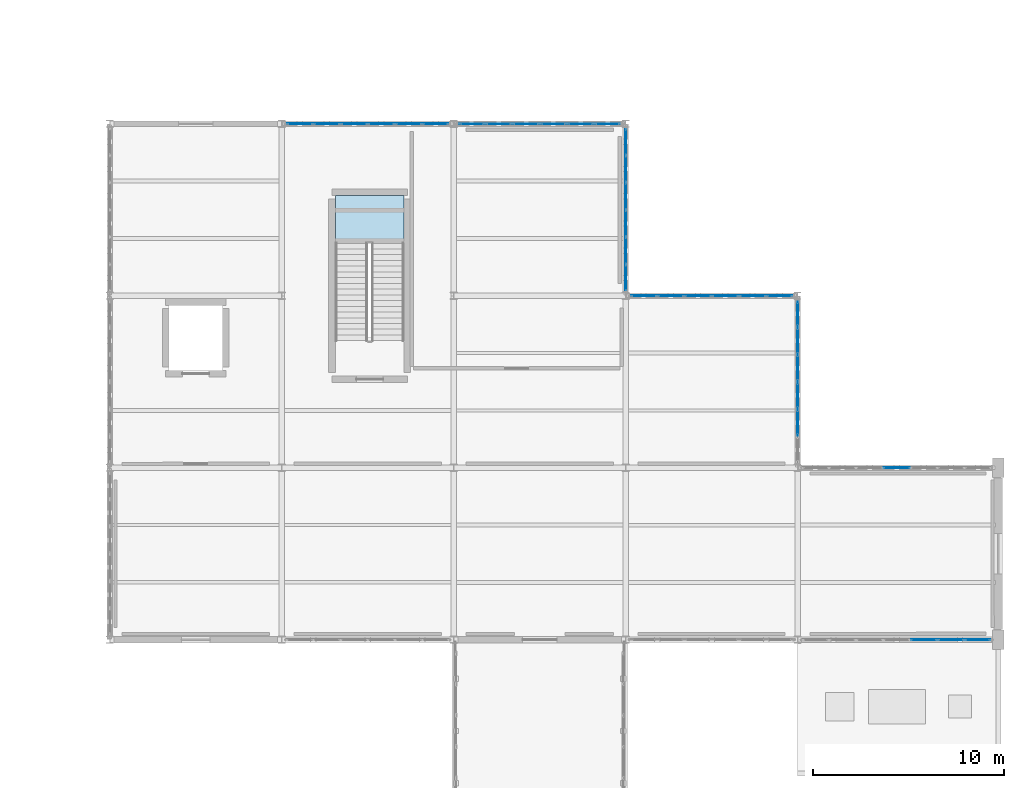
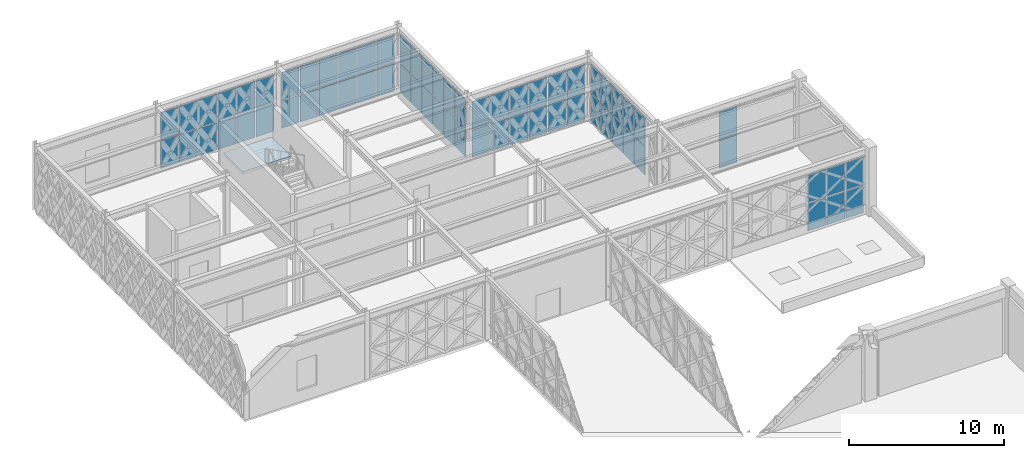
# One storey, part 137 of 166: 66 plates, 1 slab, 8 elements without a shape of their own.
"""IFC4 building model written with IfcOpenShell, lengths in metres."""

from ifc_helpers import new_model, si_unit, direction, frame, origin, origin_2d, place, context, subcontext, project, spatial, polyline, rectangle, outline, extrude, material, layer, layer_set, type_object, element, aggregate, save


model = new_model("IFC4")

# Units and contexts
model_context = context("Model", 3, precision=1e-05, world=origin(), true_north=direction((0.0, 1.0)))
body_context = subcontext(model_context, "Body", "Model", "MODEL_VIEW")
ifc_project = project(units=[si_unit("LENGTHUNIT", "METRE"), si_unit("AREAUNIT", "SQUARE_METRE"), si_unit("VOLUMEUNIT", "CUBIC_METRE"), si_unit("PLANEANGLEUNIT", "RADIAN"), si_unit("MASSUNIT", "GRAM", prefix="KILO")], contexts=[model_context])

# Site, building, storey
site_placement = place(None, origin())
site = spatial("IfcSite", under=ifc_project, at=site_placement, CompositionType="ELEMENT")
building_placement = place(site_placement, origin())
building = spatial("IfcBuilding", under=site, at=building_placement, Name="Haizhuo Lancet Aquarium", CompositionType="ELEMENT")
storey_placement = place(building_placement, frame((0.0, 0.0, 5.39990234375)))
storey = spatial("IfcBuildingStorey", under=building, at=storey_placement, Name="L01", CompositionType="ELEMENT", Elevation=5.39990234375)

# Curtain wall, plates
ifc_material_1 = material(Name="Aluminium 6063-T6", Category="aluminium")
curtain_wall_type_1 = type_object("IfcCurtainWallType", Name="CWD-8560x4550", PredefinedType="NOTDEFINED", material=ifc_material_1)
curtain_wall_1_placement = place(storey_placement, origin())
curtain_wall_1 = element("IfcCurtainWall", 1, at=curtain_wall_1_placement, inside=storey, type_object=curtain_wall_type_1, Name="L01 curtain wall CW-V7-L01-285", PredefinedType="NOTDEFINED")
ifc_material_2 = material(Name="Laminated Low-E Glass", Category="glass")
ifc_layer_1 = layer(ifc_material_2, 0.028076171875)
ifc_layer_set_1 = layer_set([ifc_layer_1], Name="Laminated Low-E Glass")
plate_type_1 = type_object("IfcPlateType", Name="CW-PNL-1", PredefinedType="CURTAIN_PANEL", material=ifc_layer_set_1)
plate_1_placement = place(storey_placement, frame((54.952880859375, 36.0, 0.080078125), z_axis=(0.0, 0.0, 1.0), x_axis=(1.0, 0.0, 0.0)))
plate_1 = element("IfcPlate", 2, at=plate_1_placement, type_object=plate_type_1, Name="CWD-85x45 panel 1.1", PredefinedType="CURTAIN_PANEL", context=body_context, shape_type="SweptSolid", body=[
    extrude(rectangle(XDim=1.306884765625, YDim=0.028076171875, at=origin_2d()), origin(), (0.0, 0.0, 1.0), 2.156005859375),
])
plate_2_placement = place(storey_placement, frame((54.952880859375, 36.0, 2.31591796875), z_axis=(0.0, 0.0, 1.0), x_axis=(1.0, 0.0, 0.0)))
plate_2 = element("IfcPlate", 3, at=plate_2_placement, type_object=plate_type_1, Name="CWD-85x45 panel 1.2", PredefinedType="CURTAIN_PANEL", context=body_context, shape_type="SweptSolid", body=[
    extrude(rectangle(XDim=1.306884765625, YDim=0.028076171875, at=origin_2d()), origin(), (0.0, 0.0, 1.0), 2.156005859375),
])
plate_3_placement = place(storey_placement, frame((56.360107421875, 36.0, 0.080078125), z_axis=(0.0, 0.0, 1.0), x_axis=(1.0, 0.0, 0.0)))
plate_3 = element("IfcPlate", 4, at=plate_3_placement, type_object=plate_type_1, Name="CWD-85x45 panel 2.1", PredefinedType="CURTAIN_PANEL", context=body_context, shape_type="SweptSolid", body=[
    extrude(rectangle(XDim=1.346923828125, YDim=0.028076171875, at=origin_2d()), origin(), (0.0, 0.0, 1.0), 2.156005859375),
])
plate_4_placement = place(storey_placement, frame((56.360107421875, 36.0, 2.31591796875), z_axis=(0.0, 0.0, 1.0), x_axis=(1.0, 0.0, 0.0)))
plate_4 = element("IfcPlate", 5, at=plate_4_placement, type_object=plate_type_1, Name="CWD-85x45 panel 2.2", PredefinedType="CURTAIN_PANEL", context=body_context, shape_type="SweptSolid", body=[
    extrude(rectangle(XDim=1.346923828125, YDim=0.028076171875, at=origin_2d()), origin(), (0.0, 0.0, 1.0), 2.156005859375),
])
plate_5_placement = place(storey_placement, frame((57.787109375, 36.0, 0.080078125), z_axis=(0.0, 0.0, 1.0), x_axis=(1.0, 0.0, 0.0)))
plate_5 = element("IfcPlate", 6, at=plate_5_placement, type_object=plate_type_1, Name="CWD-85x45 panel 3.1", PredefinedType="CURTAIN_PANEL", context=body_context, shape_type="SweptSolid", body=[
    extrude(rectangle(XDim=1.346923828125, YDim=0.028076171875, at=origin_2d()), origin(), (0.0, 0.0, 1.0), 2.156005859375),
])
plate_6_placement = place(storey_placement, frame((57.787109375, 36.0, 2.31591796875), z_axis=(0.0, 0.0, 1.0), x_axis=(1.0, 0.0, 0.0)))
plate_6 = element("IfcPlate", 7, at=plate_6_placement, type_object=plate_type_1, Name="CWD-85x45 panel 3.2", PredefinedType="CURTAIN_PANEL", context=body_context, shape_type="SweptSolid", body=[
    extrude(rectangle(XDim=1.346923828125, YDim=0.028076171875, at=origin_2d()), origin(), (0.0, 0.0, 1.0), 2.156005859375),
])
plate_7_placement = place(storey_placement, frame((59.212890625, 36.0, 0.080078125), z_axis=(0.0, 0.0, 1.0), x_axis=(1.0, 0.0, 0.0)))
plate_7 = element("IfcPlate", 8, at=plate_7_placement, type_object=plate_type_1, Name="CWD-85x45 panel 4.1", PredefinedType="CURTAIN_PANEL", context=body_context, shape_type="SweptSolid", body=[
    extrude(rectangle(XDim=1.346923828125, YDim=0.028076171875, at=origin_2d()), origin(), (0.0, 0.0, 1.0), 2.156005859375),
])
plate_8_placement = place(storey_placement, frame((59.212890625, 36.0, 2.31591796875), z_axis=(0.0, 0.0, 1.0), x_axis=(1.0, 0.0, 0.0)))
plate_8 = element("IfcPlate", 9, at=plate_8_placement, type_object=plate_type_1, Name="CWD-85x45 panel 4.2", PredefinedType="CURTAIN_PANEL", context=body_context, shape_type="SweptSolid", body=[
    extrude(rectangle(XDim=1.346923828125, YDim=0.028076171875, at=origin_2d()), origin(), (0.0, 0.0, 1.0), 2.156005859375),
])
plate_9_placement = place(storey_placement, frame((60.639892578125, 36.0, 0.080078125), z_axis=(0.0, 0.0, 1.0), x_axis=(1.0, 0.0, 0.0)))
plate_9 = element("IfcPlate", 10, at=plate_9_placement, type_object=plate_type_1, Name="CWD-85x45 panel 5.1", PredefinedType="CURTAIN_PANEL", context=body_context, shape_type="SweptSolid", body=[
    extrude(rectangle(XDim=1.346923828125, YDim=0.028076171875, at=origin_2d()), origin(), (0.0, 0.0, 1.0), 2.156005859375),
])
plate_10_placement = place(storey_placement, frame((60.639892578125, 36.0, 2.31591796875), z_axis=(0.0, 0.0, 1.0), x_axis=(1.0, 0.0, 0.0)))
plate_10 = element("IfcPlate", 11, at=plate_10_placement, type_object=plate_type_1, Name="CWD-85x45 panel 5.2", PredefinedType="CURTAIN_PANEL", context=body_context, shape_type="SweptSolid", body=[
    extrude(rectangle(XDim=1.346923828125, YDim=0.028076171875, at=origin_2d()), origin(), (0.0, 0.0, 1.0), 2.156005859375),
])
plate_11_placement = place(storey_placement, frame((62.047119140625, 36.0, 0.080078125), z_axis=(0.0, 0.0, 1.0), x_axis=(1.0, 0.0, 0.0)))
plate_11 = element("IfcPlate", 12, at=plate_11_placement, type_object=plate_type_1, Name="CWD-85x45 panel 6.1", PredefinedType="CURTAIN_PANEL", context=body_context, shape_type="SweptSolid", body=[
    extrude(rectangle(XDim=1.306884765625, YDim=0.028076171875, at=origin_2d()), origin(), (0.0, 0.0, 1.0), 2.156005859375),
])
plate_12_placement = place(storey_placement, frame((62.047119140625, 36.0, 2.31591796875), z_axis=(0.0, 0.0, 1.0), x_axis=(1.0, 0.0, 0.0)))
plate_12 = element("IfcPlate", 13, at=plate_12_placement, type_object=plate_type_1, Name="CWD-85x45 panel 6.2", PredefinedType="CURTAIN_PANEL", context=body_context, shape_type="SweptSolid", body=[
    extrude(rectangle(XDim=1.306884765625, YDim=0.028076171875, at=origin_2d()), origin(), (0.0, 0.0, 1.0), 2.156005859375),
])
aggregate(curtain_wall_1, [plate_1, plate_2, plate_3, plate_4, plate_5, plate_6, plate_7, plate_8, plate_9, plate_10, plate_11, plate_12])

curtain_wall_type_2 = type_object("IfcCurtainWallType", Name="CWD-9940x4550", PredefinedType="NOTDEFINED", material=ifc_material_1)
curtain_wall_2_placement = place(storey_placement, origin())
curtain_wall_2 = element("IfcCurtainWall", 14, at=curtain_wall_2_placement, inside=storey, type_object=curtain_wall_type_2, Name="L01 curtain wall CW-V7-L01-289", PredefinedType="NOTDEFINED")
plate_13_placement = place(storey_placement, frame((77.18798828125, 18.0, 0.064453125), z_axis=(0.0, 0.0, 1.0), x_axis=(1.0, 0.0, 0.0)))
plate_13 = element("IfcPlate", 15, at=plate_13_placement, type_object=plate_type_1, Name="CWD-99x45 panel 4.1", PredefinedType="CURTAIN_PANEL", context=body_context, shape_type="SweptSolid", body=[
    extrude(rectangle(XDim=1.35400390625, YDim=0.028076171875, at=origin_2d()), origin(), (0.0, 0.0, 1.0), 2.178955078125),
])
plate_14_placement = place(storey_placement, frame((77.18798828125, 18.0, 2.30908203125), z_axis=(0.0, 0.0, 1.0), x_axis=(1.0, 0.0, 0.0)))
plate_14 = element("IfcPlate", 16, at=plate_14_placement, type_object=plate_type_1, Name="CWD-99x45 panel 4.2", PredefinedType="CURTAIN_PANEL", context=body_context, shape_type="SweptSolid", body=[
    extrude(rectangle(XDim=1.35400390625, YDim=0.028076171875, at=origin_2d()), origin(), (0.0, 0.0, 1.0), 2.177978515625),
])
aggregate(curtain_wall_2, [plate_13, plate_14])

curtain_wall_type_3 = type_object("IfcCurtainWallType", Name="CWD-8560x4650", PredefinedType="NOTDEFINED", material=ifc_material_1)
curtain_wall_3_placement = place(storey_placement, origin())
curtain_wall_3 = element("IfcCurtainWall", 17, at=curtain_wall_3_placement, inside=storey, type_object=curtain_wall_type_3, Name="L01 curtain wall CW-V7-L01-286", PredefinedType="NOTDEFINED")
ifc_layer_2 = layer(ifc_material_2, 0.033935546875)
ifc_layer_set_2 = layer_set([ifc_layer_2], Name="Laminated Low-E Glass")
plate_type_2 = type_object("IfcPlateType", Name="CW-PNL-2", PredefinedType="CURTAIN_PANEL", material=ifc_layer_set_2)
plate_15_placement = place(storey_placement, frame((63.0, 35.050048828125, 0.064697265625), z_axis=(0.0, 0.0, 1.0), x_axis=(0.0, -1.0, 0.0)))
plate_15 = element("IfcPlate", 18, at=plate_15_placement, type_object=plate_type_2, Name="CWD-85x46 panel 1.1", PredefinedType="CURTAIN_PANEL", context=body_context, shape_type="SweptSolid", body=[
    extrude(rectangle(XDim=1.3291015625, YDim=0.033935546875, at=origin_2d()), origin(), (0.0, 0.0, 1.0), 2.22900390625),
])
plate_16_placement = place(storey_placement, frame((63.0, 35.050048828125, 2.359130859375), z_axis=(0.0, 0.0, 1.0), x_axis=(0.0, -1.0, 0.0)))
plate_16 = element("IfcPlate", 19, at=plate_16_placement, type_object=plate_type_2, Name="CWD-85x46 panel 1.2", PredefinedType="CURTAIN_PANEL", context=body_context, shape_type="SweptSolid", body=[
    extrude(rectangle(XDim=1.3291015625, YDim=0.033935546875, at=origin_2d()), origin(), (0.0, 0.0, 1.0), 2.22802734375),
])
plate_17_placement = place(storey_placement, frame((63.0, 33.639892578125, 0.064697265625), z_axis=(0.0, 0.0, 1.0), x_axis=(0.0, -1.0, 0.0)))
plate_17 = element("IfcPlate", 20, at=plate_17_placement, type_object=plate_type_2, Name="CWD-85x46 panel 2.1", PredefinedType="CURTAIN_PANEL", context=body_context, shape_type="SweptSolid", body=[
    extrude(rectangle(XDim=1.362060546875, YDim=0.033935546875, at=origin_2d()), origin(), (0.0, 0.0, 1.0), 2.22900390625),
])
plate_18_placement = place(storey_placement, frame((63.0, 33.639892578125, 2.359130859375), z_axis=(0.0, 0.0, 1.0), x_axis=(0.0, -1.0, 0.0)))
plate_18 = element("IfcPlate", 21, at=plate_18_placement, type_object=plate_type_2, Name="CWD-85x46 panel 2.2", PredefinedType="CURTAIN_PANEL", context=body_context, shape_type="SweptSolid", body=[
    extrude(rectangle(XDim=1.362060546875, YDim=0.033935546875, at=origin_2d()), origin(), (0.0, 0.0, 1.0), 2.22802734375),
])
plate_19_placement = place(storey_placement, frame((63.0, 32.212890625, 0.064697265625), z_axis=(0.0, 0.0, 1.0), x_axis=(0.0, -1.0, 0.0)))
plate_19 = element("IfcPlate", 22, at=plate_19_placement, type_object=plate_type_2, Name="CWD-85x46 panel 3.1", PredefinedType="CURTAIN_PANEL", context=body_context, shape_type="SweptSolid", body=[
    extrude(rectangle(XDim=1.362060546875, YDim=0.033935546875, at=origin_2d()), origin(), (0.0, 0.0, 1.0), 2.22900390625),
])
plate_20_placement = place(storey_placement, frame((63.0, 32.212890625, 2.359130859375), z_axis=(0.0, 0.0, 1.0), x_axis=(0.0, -1.0, 0.0)))
plate_20 = element("IfcPlate", 23, at=plate_20_placement, type_object=plate_type_2, Name="CWD-85x46 panel 3.2", PredefinedType="CURTAIN_PANEL", context=body_context, shape_type="SweptSolid", body=[
    extrude(rectangle(XDim=1.362060546875, YDim=0.033935546875, at=origin_2d()), origin(), (0.0, 0.0, 1.0), 2.22802734375),
])
plate_21_placement = place(storey_placement, frame((63.0, 30.787109375, 0.064697265625), z_axis=(0.0, 0.0, 1.0), x_axis=(0.0, -1.0, 0.0)))
plate_21 = element("IfcPlate", 24, at=plate_21_placement, type_object=plate_type_2, Name="CWD-85x46 panel 4.1", PredefinedType="CURTAIN_PANEL", context=body_context, shape_type="SweptSolid", body=[
    extrude(rectangle(XDim=1.362060546875, YDim=0.033935546875, at=origin_2d()), origin(), (0.0, 0.0, 1.0), 2.22900390625),
])
plate_22_placement = place(storey_placement, frame((63.0, 30.787109375, 2.359130859375), z_axis=(0.0, 0.0, 1.0), x_axis=(0.0, -1.0, 0.0)))
plate_22 = element("IfcPlate", 25, at=plate_22_placement, type_object=plate_type_2, Name="CWD-85x46 panel 4.2", PredefinedType="CURTAIN_PANEL", context=body_context, shape_type="SweptSolid", body=[
    extrude(rectangle(XDim=1.362060546875, YDim=0.033935546875, at=origin_2d()), origin(), (0.0, 0.0, 1.0), 2.22802734375),
])
plate_23_placement = place(storey_placement, frame((63.0, 29.360107421875, 0.064697265625), z_axis=(0.0, 0.0, 1.0), x_axis=(0.0, -1.0, 0.0)))
plate_23 = element("IfcPlate", 26, at=plate_23_placement, type_object=plate_type_2, Name="CWD-85x46 panel 5.1", PredefinedType="CURTAIN_PANEL", context=body_context, shape_type="SweptSolid", body=[
    extrude(rectangle(XDim=1.362060546875, YDim=0.033935546875, at=origin_2d()), origin(), (0.0, 0.0, 1.0), 2.22900390625),
])
plate_24_placement = place(storey_placement, frame((63.0, 29.360107421875, 2.359130859375), z_axis=(0.0, 0.0, 1.0), x_axis=(0.0, -1.0, 0.0)))
plate_24 = element("IfcPlate", 27, at=plate_24_placement, type_object=plate_type_2, Name="CWD-85x46 panel 5.2", PredefinedType="CURTAIN_PANEL", context=body_context, shape_type="SweptSolid", body=[
    extrude(rectangle(XDim=1.362060546875, YDim=0.033935546875, at=origin_2d()), origin(), (0.0, 0.0, 1.0), 2.22802734375),
])
plate_25_placement = place(storey_placement, frame((63.0, 27.949951171875, 0.064697265625), z_axis=(0.0, 0.0, 1.0), x_axis=(0.0, -1.0, 0.0)))
plate_25 = element("IfcPlate", 28, at=plate_25_placement, type_object=plate_type_2, Name="CWD-85x46 panel 6.1", PredefinedType="CURTAIN_PANEL", context=body_context, shape_type="SweptSolid", body=[
    extrude(rectangle(XDim=1.3291015625, YDim=0.033935546875, at=origin_2d()), origin(), (0.0, 0.0, 1.0), 2.22900390625),
])
plate_26_placement = place(storey_placement, frame((63.0, 27.949951171875, 2.359130859375), z_axis=(0.0, 0.0, 1.0), x_axis=(0.0, -1.0, 0.0)))
plate_26 = element("IfcPlate", 29, at=plate_26_placement, type_object=plate_type_2, Name="CWD-85x46 panel 6.2", PredefinedType="CURTAIN_PANEL", context=body_context, shape_type="SweptSolid", body=[
    extrude(rectangle(XDim=1.3291015625, YDim=0.033935546875, at=origin_2d()), origin(), (0.0, 0.0, 1.0), 2.22802734375),
])
aggregate(curtain_wall_3, [plate_15, plate_16, plate_17, plate_18, plate_19, plate_20, plate_21, plate_22, plate_23, plate_24, plate_25, plate_26])

curtain_wall_type_4 = type_object("IfcCurtainWallType", Name="CWO-9940x4550", PredefinedType="NOTDEFINED", material=ifc_material_1)
curtain_wall_4_placement = place(storey_placement, origin())
curtain_wall_4 = element("IfcCurtainWall", 30, at=curtain_wall_4_placement, inside=storey, type_object=curtain_wall_type_4, Name="L01 curtain wall CW-V7-L01-290", PredefinedType="NOTDEFINED")
plate_27_placement = place(storey_placement, frame((81.427001953125, 9.0, 0.074951171875), z_axis=(0.0, 0.0, 1.0), x_axis=(-1.0, 0.0, 0.0)))
plate_27 = element("IfcPlate", 31, at=plate_27_placement, type_object=plate_type_2, Name="CWO-99x45 panel 1.1", PredefinedType="CURTAIN_PANEL", context=body_context, shape_type="SweptSolid", body=[
    extrude(rectangle(XDim=1.306884765625, YDim=0.033935546875, at=origin_2d()), origin(), (0.0, 0.0, 1.0), 2.1640625),
])
plate_28_placement = place(storey_placement, frame((81.427001953125, 9.0, 2.31298828125), z_axis=(0.0, 0.0, 1.0), x_axis=(-1.0, 0.0, 0.0)))
plate_28 = element("IfcPlate", 32, at=plate_28_placement, type_object=plate_type_2, Name="CWO-99x45 panel 1.2", PredefinedType="CURTAIN_PANEL", context=body_context, shape_type="SweptSolid", body=[
    extrude(rectangle(XDim=1.306884765625, YDim=0.033935546875, at=origin_2d()), origin(), (0.0, 0.0, 1.0), 2.1640625),
])
plate_29_placement = place(storey_placement, frame((80.02587890625, 9.0, 0.074951171875), z_axis=(0.0, 0.0, 1.0), x_axis=(-1.0, 0.0, 0.0)))
plate_29 = element("IfcPlate", 33, at=plate_29_placement, type_object=plate_type_2, Name="CWO-99x45 panel 2.1", PredefinedType="CURTAIN_PANEL", context=body_context, shape_type="SweptSolid", body=[
    extrude(rectangle(XDim=1.343994140625, YDim=0.033935546875, at=origin_2d()), origin(), (0.0, 0.0, 1.0), 2.1640625),
])
plate_30_placement = place(storey_placement, frame((80.02587890625, 9.0, 2.31298828125), z_axis=(0.0, 0.0, 1.0), x_axis=(-1.0, 0.0, 0.0)))
plate_30 = element("IfcPlate", 34, at=plate_30_placement, type_object=plate_type_2, Name="CWO-99x45 panel 2.2", PredefinedType="CURTAIN_PANEL", context=body_context, shape_type="SweptSolid", body=[
    extrude(rectangle(XDim=1.343994140625, YDim=0.033935546875, at=origin_2d()), origin(), (0.0, 0.0, 1.0), 2.1640625),
])
plate_31_placement = place(storey_placement, frame((78.60693359375, 9.0, 0.074951171875), z_axis=(0.0, 0.0, 1.0), x_axis=(-1.0, 0.0, 0.0)))
plate_31 = element("IfcPlate", 35, at=plate_31_placement, type_object=plate_type_2, Name="CWO-99x45 panel 3.1", PredefinedType="CURTAIN_PANEL", context=body_context, shape_type="SweptSolid", body=[
    extrude(rectangle(XDim=1.343994140625, YDim=0.033935546875, at=origin_2d()), origin(), (0.0, 0.0, 1.0), 2.1640625),
])
plate_32_placement = place(storey_placement, frame((78.60693359375, 9.0, 2.31298828125), z_axis=(0.0, 0.0, 1.0), x_axis=(-1.0, 0.0, 0.0)))
plate_32 = element("IfcPlate", 36, at=plate_32_placement, type_object=plate_type_2, Name="CWO-99x45 panel 3.2", PredefinedType="CURTAIN_PANEL", context=body_context, shape_type="SweptSolid", body=[
    extrude(rectangle(XDim=1.343994140625, YDim=0.033935546875, at=origin_2d()), origin(), (0.0, 0.0, 1.0), 2.1640625),
])
aggregate(curtain_wall_4, [plate_27, plate_28, plate_29, plate_30, plate_31, plate_32])

curtain_wall_5_placement = place(storey_placement, origin())
curtain_wall_5 = element("IfcCurtainWall", 37, at=curtain_wall_5_placement, inside=storey, type_object=curtain_wall_type_1, Name="L01 curtain wall CW-V7-L01-287", PredefinedType="NOTDEFINED")
ifc_layer_3 = layer(ifc_material_2, 0.0419921875)
ifc_layer_set_3 = layer_set([ifc_layer_3], Name="Laminated Low-E Glass")
plate_type_3 = type_object("IfcPlateType", Name="CW-PNL-3", PredefinedType="CURTAIN_PANEL", material=ifc_layer_set_3)
plate_33_placement = place(storey_placement, frame((63.951904296875, 27.0, 0.074951171875), z_axis=(0.0, 0.0, 1.0), x_axis=(1.0, 0.0, 0.0)))
plate_33 = element("IfcPlate", 38, at=plate_33_placement, type_object=plate_type_3, Name="CWD-85x45 panel 1.1", PredefinedType="CURTAIN_PANEL", context=body_context, shape_type="SweptSolid", body=[
    extrude(rectangle(XDim=1.31396484375, YDim=0.0419921875, at=origin_2d()), origin(), (0.0, 0.0, 1.0), 2.1640625),
])
plate_34_placement = place(storey_placement, frame((63.951904296875, 27.0, 2.31298828125), z_axis=(0.0, 0.0, 1.0), x_axis=(1.0, 0.0, 0.0)))
plate_34 = element("IfcPlate", 39, at=plate_34_placement, type_object=plate_type_3, Name="CWD-85x45 panel 1.2", PredefinedType="CURTAIN_PANEL", context=body_context, shape_type="SweptSolid", body=[
    extrude(rectangle(XDim=1.31396484375, YDim=0.0419921875, at=origin_2d()), origin(), (0.0, 0.0, 1.0), 2.1640625),
])
plate_35_placement = place(storey_placement, frame((65.360107421875, 27.0, 0.074951171875), z_axis=(0.0, 0.0, 1.0), x_axis=(1.0, 0.0, 0.0)))
plate_35 = element("IfcPlate", 40, at=plate_35_placement, type_object=plate_type_3, Name="CWD-85x45 panel 2.1", PredefinedType="CURTAIN_PANEL", context=body_context, shape_type="SweptSolid", body=[
    extrude(rectangle(XDim=1.35205078125, YDim=0.0419921875, at=origin_2d()), origin(), (0.0, 0.0, 1.0), 2.1640625),
])
plate_36_placement = place(storey_placement, frame((65.360107421875, 27.0, 2.31298828125), z_axis=(0.0, 0.0, 1.0), x_axis=(1.0, 0.0, 0.0)))
plate_36 = element("IfcPlate", 41, at=plate_36_placement, type_object=plate_type_3, Name="CWD-85x45 panel 2.2", PredefinedType="CURTAIN_PANEL", context=body_context, shape_type="SweptSolid", body=[
    extrude(rectangle(XDim=1.35205078125, YDim=0.0419921875, at=origin_2d()), origin(), (0.0, 0.0, 1.0), 2.1640625),
])
plate_37_placement = place(storey_placement, frame((66.787109375, 27.0, 0.074951171875), z_axis=(0.0, 0.0, 1.0), x_axis=(1.0, 0.0, 0.0)))
plate_37 = element("IfcPlate", 42, at=plate_37_placement, type_object=plate_type_3, Name="CWD-85x45 panel 3.1", PredefinedType="CURTAIN_PANEL", context=body_context, shape_type="SweptSolid", body=[
    extrude(rectangle(XDim=1.35205078125, YDim=0.0419921875, at=origin_2d()), origin(), (0.0, 0.0, 1.0), 2.1640625),
])
plate_38_placement = place(storey_placement, frame((66.787109375, 27.0, 2.31298828125), z_axis=(0.0, 0.0, 1.0), x_axis=(1.0, 0.0, 0.0)))
plate_38 = element("IfcPlate", 43, at=plate_38_placement, type_object=plate_type_3, Name="CWD-85x45 panel 3.2", PredefinedType="CURTAIN_PANEL", context=body_context, shape_type="SweptSolid", body=[
    extrude(rectangle(XDim=1.35205078125, YDim=0.0419921875, at=origin_2d()), origin(), (0.0, 0.0, 1.0), 2.1640625),
])
plate_39_placement = place(storey_placement, frame((68.212890625, 27.0, 0.074951171875), z_axis=(0.0, 0.0, 1.0), x_axis=(1.0, 0.0, 0.0)))
plate_39 = element("IfcPlate", 44, at=plate_39_placement, type_object=plate_type_3, Name="CWD-85x45 panel 4.1", PredefinedType="CURTAIN_PANEL", context=body_context, shape_type="SweptSolid", body=[
    extrude(rectangle(XDim=1.35205078125, YDim=0.0419921875, at=origin_2d()), origin(), (0.0, 0.0, 1.0), 2.1640625),
])
plate_40_placement = place(storey_placement, frame((68.212890625, 27.0, 2.31298828125), z_axis=(0.0, 0.0, 1.0), x_axis=(1.0, 0.0, 0.0)))
plate_40 = element("IfcPlate", 45, at=plate_40_placement, type_object=plate_type_3, Name="CWD-85x45 panel 4.2", PredefinedType="CURTAIN_PANEL", context=body_context, shape_type="SweptSolid", body=[
    extrude(rectangle(XDim=1.35205078125, YDim=0.0419921875, at=origin_2d()), origin(), (0.0, 0.0, 1.0), 2.1640625),
])
plate_41_placement = place(storey_placement, frame((69.639892578125, 27.0, 0.074951171875), z_axis=(0.0, 0.0, 1.0), x_axis=(1.0, 0.0, 0.0)))
plate_41 = element("IfcPlate", 46, at=plate_41_placement, type_object=plate_type_3, Name="CWD-85x45 panel 5.1", PredefinedType="CURTAIN_PANEL", context=body_context, shape_type="SweptSolid", body=[
    extrude(rectangle(XDim=1.35205078125, YDim=0.0419921875, at=origin_2d()), origin(), (0.0, 0.0, 1.0), 2.1640625),
])
plate_42_placement = place(storey_placement, frame((69.639892578125, 27.0, 2.31298828125), z_axis=(0.0, 0.0, 1.0), x_axis=(1.0, 0.0, 0.0)))
plate_42 = element("IfcPlate", 47, at=plate_42_placement, type_object=plate_type_3, Name="CWD-85x45 panel 5.2", PredefinedType="CURTAIN_PANEL", context=body_context, shape_type="SweptSolid", body=[
    extrude(rectangle(XDim=1.35205078125, YDim=0.0419921875, at=origin_2d()), origin(), (0.0, 0.0, 1.0), 2.1640625),
])
plate_43_placement = place(storey_placement, frame((71.048095703125, 27.0, 0.074951171875), z_axis=(0.0, 0.0, 1.0), x_axis=(1.0, 0.0, 0.0)))
plate_43 = element("IfcPlate", 48, at=plate_43_placement, type_object=plate_type_3, Name="CWD-85x45 panel 6.1", PredefinedType="CURTAIN_PANEL", context=body_context, shape_type="SweptSolid", body=[
    extrude(rectangle(XDim=1.31396484375, YDim=0.0419921875, at=origin_2d()), origin(), (0.0, 0.0, 1.0), 2.1640625),
])
plate_44_placement = place(storey_placement, frame((71.048095703125, 27.0, 2.31298828125), z_axis=(0.0, 0.0, 1.0), x_axis=(1.0, 0.0, 0.0)))
plate_44 = element("IfcPlate", 49, at=plate_44_placement, type_object=plate_type_3, Name="CWD-85x45 panel 6.2", PredefinedType="CURTAIN_PANEL", context=body_context, shape_type="SweptSolid", body=[
    extrude(rectangle(XDim=1.31396484375, YDim=0.0419921875, at=origin_2d()), origin(), (0.0, 0.0, 1.0), 2.1640625),
])
aggregate(curtain_wall_5, [plate_33, plate_34, plate_35, plate_36, plate_37, plate_38, plate_39, plate_40, plate_41, plate_42, plate_43, plate_44])

curtain_wall_6_placement = place(storey_placement, origin())
curtain_wall_6 = element("IfcCurtainWall", 50, at=curtain_wall_6_placement, inside=storey, type_object=curtain_wall_type_1, Name="L01 curtain wall CW-V7-L01-284", PredefinedType="NOTDEFINED")
ifc_layer_4 = layer(ifc_material_2, 0.052001953125)
ifc_layer_set_4 = layer_set([ifc_layer_4], Name="Laminated Low-E Glass")
plate_type_4 = type_object("IfcPlateType", Name="CW-PNL-4", PredefinedType="CURTAIN_PANEL", material=ifc_layer_set_4)
plate_45_placement = place(storey_placement, frame((45.951904296875, 36.0, 0.074951171875), z_axis=(0.0, 0.0, 1.0), x_axis=(1.0, 0.0, 0.0)))
plate_45 = element("IfcPlate", 51, at=plate_45_placement, type_object=plate_type_4, Name="CWD-85x45 panel 1.1", PredefinedType="CURTAIN_PANEL", context=body_context, shape_type="SweptSolid", body=[
    extrude(rectangle(XDim=1.31396484375, YDim=0.052001953125, at=origin_2d()), origin(), (0.0, 0.0, 1.0), 2.1640625),
])
plate_46_placement = place(storey_placement, frame((45.951904296875, 36.0, 2.31298828125), z_axis=(0.0, 0.0, 1.0), x_axis=(1.0, 0.0, 0.0)))
plate_46 = element("IfcPlate", 52, at=plate_46_placement, type_object=plate_type_4, Name="CWD-85x45 panel 1.2", PredefinedType="CURTAIN_PANEL", context=body_context, shape_type="SweptSolid", body=[
    extrude(rectangle(XDim=1.31396484375, YDim=0.052001953125, at=origin_2d()), origin(), (0.0, 0.0, 1.0), 2.1640625),
])
plate_47_placement = place(storey_placement, frame((47.360107421875, 36.0, 0.074951171875), z_axis=(0.0, 0.0, 1.0), x_axis=(1.0, 0.0, 0.0)))
plate_47 = element("IfcPlate", 53, at=plate_47_placement, type_object=plate_type_4, Name="CWD-85x45 panel 2.1", PredefinedType="CURTAIN_PANEL", context=body_context, shape_type="SweptSolid", body=[
    extrude(rectangle(XDim=1.35205078125, YDim=0.052001953125, at=origin_2d()), origin(), (0.0, 0.0, 1.0), 2.1640625),
])
plate_48_placement = place(storey_placement, frame((47.360107421875, 36.0, 2.31298828125), z_axis=(0.0, 0.0, 1.0), x_axis=(1.0, 0.0, 0.0)))
plate_48 = element("IfcPlate", 54, at=plate_48_placement, type_object=plate_type_4, Name="CWD-85x45 panel 2.2", PredefinedType="CURTAIN_PANEL", context=body_context, shape_type="SweptSolid", body=[
    extrude(rectangle(XDim=1.35205078125, YDim=0.052001953125, at=origin_2d()), origin(), (0.0, 0.0, 1.0), 2.1640625),
])
plate_49_placement = place(storey_placement, frame((48.787109375, 36.0, 0.074951171875), z_axis=(0.0, 0.0, 1.0), x_axis=(1.0, 0.0, 0.0)))
plate_49 = element("IfcPlate", 55, at=plate_49_placement, type_object=plate_type_4, Name="CWD-85x45 panel 3.1", PredefinedType="CURTAIN_PANEL", context=body_context, shape_type="SweptSolid", body=[
    extrude(rectangle(XDim=1.35205078125, YDim=0.052001953125, at=origin_2d()), origin(), (0.0, 0.0, 1.0), 2.1640625),
])
plate_50_placement = place(storey_placement, frame((48.787109375, 36.0, 2.31298828125), z_axis=(0.0, 0.0, 1.0), x_axis=(1.0, 0.0, 0.0)))
plate_50 = element("IfcPlate", 56, at=plate_50_placement, type_object=plate_type_4, Name="CWD-85x45 panel 3.2", PredefinedType="CURTAIN_PANEL", context=body_context, shape_type="SweptSolid", body=[
    extrude(rectangle(XDim=1.35205078125, YDim=0.052001953125, at=origin_2d()), origin(), (0.0, 0.0, 1.0), 2.1640625),
])
plate_51_placement = place(storey_placement, frame((50.212890625, 36.0, 0.074951171875), z_axis=(0.0, 0.0, 1.0), x_axis=(1.0, 0.0, 0.0)))
plate_51 = element("IfcPlate", 57, at=plate_51_placement, type_object=plate_type_4, Name="CWD-85x45 panel 4.1", PredefinedType="CURTAIN_PANEL", context=body_context, shape_type="SweptSolid", body=[
    extrude(rectangle(XDim=1.35205078125, YDim=0.052001953125, at=origin_2d()), origin(), (0.0, 0.0, 1.0), 2.1640625),
])
plate_52_placement = place(storey_placement, frame((50.212890625, 36.0, 2.31298828125), z_axis=(0.0, 0.0, 1.0), x_axis=(1.0, 0.0, 0.0)))
plate_52 = element("IfcPlate", 58, at=plate_52_placement, type_object=plate_type_4, Name="CWD-85x45 panel 4.2", PredefinedType="CURTAIN_PANEL", context=body_context, shape_type="SweptSolid", body=[
    extrude(rectangle(XDim=1.35205078125, YDim=0.052001953125, at=origin_2d()), origin(), (0.0, 0.0, 1.0), 2.1640625),
])
plate_53_placement = place(storey_placement, frame((51.639892578125, 36.0, 0.074951171875), z_axis=(0.0, 0.0, 1.0), x_axis=(1.0, 0.0, 0.0)))
plate_53 = element("IfcPlate", 59, at=plate_53_placement, type_object=plate_type_4, Name="CWD-85x45 panel 5.1", PredefinedType="CURTAIN_PANEL", context=body_context, shape_type="SweptSolid", body=[
    extrude(rectangle(XDim=1.35205078125, YDim=0.052001953125, at=origin_2d()), origin(), (0.0, 0.0, 1.0), 2.1640625),
])
plate_54_placement = place(storey_placement, frame((51.639892578125, 36.0, 2.31298828125), z_axis=(0.0, 0.0, 1.0), x_axis=(1.0, 0.0, 0.0)))
plate_54 = element("IfcPlate", 60, at=plate_54_placement, type_object=plate_type_4, Name="CWD-85x45 panel 5.2", PredefinedType="CURTAIN_PANEL", context=body_context, shape_type="SweptSolid", body=[
    extrude(rectangle(XDim=1.35205078125, YDim=0.052001953125, at=origin_2d()), origin(), (0.0, 0.0, 1.0), 2.1640625),
])
plate_55_placement = place(storey_placement, frame((53.048095703125, 36.0, 0.074951171875), z_axis=(0.0, 0.0, 1.0), x_axis=(1.0, 0.0, 0.0)))
plate_55 = element("IfcPlate", 61, at=plate_55_placement, type_object=plate_type_4, Name="CWD-85x45 panel 6.1", PredefinedType="CURTAIN_PANEL", context=body_context, shape_type="SweptSolid", body=[
    extrude(rectangle(XDim=1.31396484375, YDim=0.052001953125, at=origin_2d()), origin(), (0.0, 0.0, 1.0), 2.1640625),
])
plate_56_placement = place(storey_placement, frame((53.048095703125, 36.0, 2.31298828125), z_axis=(0.0, 0.0, 1.0), x_axis=(1.0, 0.0, 0.0)))
plate_56 = element("IfcPlate", 62, at=plate_56_placement, type_object=plate_type_4, Name="CWD-85x45 panel 6.2", PredefinedType="CURTAIN_PANEL", context=body_context, shape_type="SweptSolid", body=[
    extrude(rectangle(XDim=1.31396484375, YDim=0.052001953125, at=origin_2d()), origin(), (0.0, 0.0, 1.0), 2.1640625),
])
aggregate(curtain_wall_6, [plate_45, plate_46, plate_47, plate_48, plate_49, plate_50, plate_51, plate_52, plate_53, plate_54, plate_55, plate_56])

curtain_wall_7_placement = place(storey_placement, origin())
curtain_wall_7 = element("IfcCurtainWall", 63, at=curtain_wall_7_placement, inside=storey, type_object=curtain_wall_type_3, Name="L01 curtain wall CW-V7-L01-288", PredefinedType="NOTDEFINED")
plate_57_placement = place(storey_placement, frame((72.0, 26.047119140625, 0.080078125), z_axis=(0.0, 0.0, 1.0), x_axis=(0.0, -1.0, 0.0)))
plate_57 = element("IfcPlate", 64, at=plate_57_placement, type_object=plate_type_4, Name="CWD-85x46 panel 1.1", PredefinedType="CURTAIN_PANEL", context=body_context, shape_type="SweptSolid", body=[
    extrude(rectangle(XDim=1.306884765625, YDim=0.052001953125, at=origin_2d()), origin(), (0.0, 0.0, 1.0), 2.2060546875),
])
plate_58_placement = place(storey_placement, frame((72.0, 26.047119140625, 2.365966796875), z_axis=(0.0, 0.0, 1.0), x_axis=(0.0, -1.0, 0.0)))
plate_58 = element("IfcPlate", 65, at=plate_58_placement, type_object=plate_type_4, Name="CWD-85x46 panel 1.2", PredefinedType="CURTAIN_PANEL", context=body_context, shape_type="SweptSolid", body=[
    extrude(rectangle(XDim=1.306884765625, YDim=0.052001953125, at=origin_2d()), origin(), (0.0, 0.0, 1.0), 2.2060546875),
])
plate_59_placement = place(storey_placement, frame((72.0, 24.639892578125, 0.080078125), z_axis=(0.0, 0.0, 1.0), x_axis=(0.0, -1.0, 0.0)))
plate_59 = element("IfcPlate", 66, at=plate_59_placement, type_object=plate_type_4, Name="CWD-85x46 panel 2.1", PredefinedType="CURTAIN_PANEL", context=body_context, shape_type="SweptSolid", body=[
    extrude(rectangle(XDim=1.346923828125, YDim=0.052001953125, at=origin_2d()), origin(), (0.0, 0.0, 1.0), 2.2060546875),
])
plate_60_placement = place(storey_placement, frame((72.0, 24.639892578125, 2.365966796875), z_axis=(0.0, 0.0, 1.0), x_axis=(0.0, -1.0, 0.0)))
plate_60 = element("IfcPlate", 67, at=plate_60_placement, type_object=plate_type_4, Name="CWD-85x46 panel 2.2", PredefinedType="CURTAIN_PANEL", context=body_context, shape_type="SweptSolid", body=[
    extrude(rectangle(XDim=1.346923828125, YDim=0.052001953125, at=origin_2d()), origin(), (0.0, 0.0, 1.0), 2.2060546875),
])
plate_61_placement = place(storey_placement, frame((72.0, 23.212890625, 0.080078125), z_axis=(0.0, 0.0, 1.0), x_axis=(0.0, -1.0, 0.0)))
plate_61 = element("IfcPlate", 68, at=plate_61_placement, type_object=plate_type_4, Name="CWD-85x46 panel 3.1", PredefinedType="CURTAIN_PANEL", context=body_context, shape_type="SweptSolid", body=[
    extrude(rectangle(XDim=1.346923828125, YDim=0.052001953125, at=origin_2d()), origin(), (0.0, 0.0, 1.0), 2.2060546875),
])
plate_62_placement = place(storey_placement, frame((72.0, 23.212890625, 2.365966796875), z_axis=(0.0, 0.0, 1.0), x_axis=(0.0, -1.0, 0.0)))
plate_62 = element("IfcPlate", 69, at=plate_62_placement, type_object=plate_type_4, Name="CWD-85x46 panel 3.2", PredefinedType="CURTAIN_PANEL", context=body_context, shape_type="SweptSolid", body=[
    extrude(rectangle(XDim=1.346923828125, YDim=0.052001953125, at=origin_2d()), origin(), (0.0, 0.0, 1.0), 2.2060546875),
])
plate_63_placement = place(storey_placement, frame((72.0, 21.787109375, 0.080078125), z_axis=(0.0, 0.0, 1.0), x_axis=(0.0, -1.0, 0.0)))
plate_63 = element("IfcPlate", 70, at=plate_63_placement, type_object=plate_type_4, Name="CWD-85x46 panel 4.1", PredefinedType="CURTAIN_PANEL", context=body_context, shape_type="SweptSolid", body=[
    extrude(rectangle(XDim=1.346923828125, YDim=0.052001953125, at=origin_2d()), origin(), (0.0, 0.0, 1.0), 2.2060546875),
])
plate_64_placement = place(storey_placement, frame((72.0, 21.787109375, 2.365966796875), z_axis=(0.0, 0.0, 1.0), x_axis=(0.0, -1.0, 0.0)))
plate_64 = element("IfcPlate", 71, at=plate_64_placement, type_object=plate_type_4, Name="CWD-85x46 panel 4.2", PredefinedType="CURTAIN_PANEL", context=body_context, shape_type="SweptSolid", body=[
    extrude(rectangle(XDim=1.346923828125, YDim=0.052001953125, at=origin_2d()), origin(), (0.0, 0.0, 1.0), 2.2060546875),
])
plate_65_placement = place(storey_placement, frame((72.0, 20.360107421875, 0.080078125), z_axis=(0.0, 0.0, 1.0), x_axis=(0.0, -1.0, 0.0)))
plate_65 = element("IfcPlate", 72, at=plate_65_placement, type_object=plate_type_4, Name="CWD-85x46 panel 5.1", PredefinedType="CURTAIN_PANEL", context=body_context, shape_type="SweptSolid", body=[
    extrude(rectangle(XDim=1.346923828125, YDim=0.052001953125, at=origin_2d()), origin(), (0.0, 0.0, 1.0), 2.2060546875),
])
plate_66_placement = place(storey_placement, frame((72.0, 20.360107421875, 2.365966796875), z_axis=(0.0, 0.0, 1.0), x_axis=(0.0, -1.0, 0.0)))
plate_66 = element("IfcPlate", 73, at=plate_66_placement, type_object=plate_type_4, Name="CWD-85x46 panel 5.2", PredefinedType="CURTAIN_PANEL", context=body_context, shape_type="SweptSolid", body=[
    extrude(rectangle(XDim=1.346923828125, YDim=0.052001953125, at=origin_2d()), origin(), (0.0, 0.0, 1.0), 2.2060546875),
])
aggregate(curtain_wall_7, [plate_57, plate_58, plate_59, plate_60, plate_61, plate_62, plate_63, plate_64, plate_65, plate_66])

# Stair, slab
ifc_material_3 = material(Name="Concrete C40/50", Category="concrete")
stair_type = type_object("IfcStairType", Name="STR-HT-1700-54", PredefinedType="HALF_TURN_STAIR", material=ifc_material_3)
stair_placement = place(storey_placement, origin())
stair = element("IfcStair", 74, at=stair_placement, inside=storey, type_object=stair_type, Name="L01 enclosed exit stair ST-10", PredefinedType="HALF_TURN_STAIR")
ifc_layer_5 = layer(ifc_material_3, 0.199951171875)
ifc_layer_set_5 = layer_set([ifc_layer_5], Name="Concrete C40/50")
slab_type = type_object("IfcSlabType", Name="SLB-LND-1700", PredefinedType="LANDING", material=ifc_layer_set_5)
slab_placement = place(storey_placement, frame((0.0, 0.0, 2.5)))
slab = element("IfcSlab", 75, at=slab_placement, type_object=slab_type, Name="ST-35 landing 1", PredefinedType="LANDING", context=body_context, shape_type="SweptSolid", body=[
    extrude(outline(polyline([(51.39990234375, 29.75), (51.39990234375, 32.25), (47.800048828125, 32.25), (47.800048828125, 29.75), (51.39990234375, 29.75)])), origin(), (0.0, 0.0, 1.0), 0.2001953125),
])
aggregate(stair, [slab])

save(model, "model.ifc")
